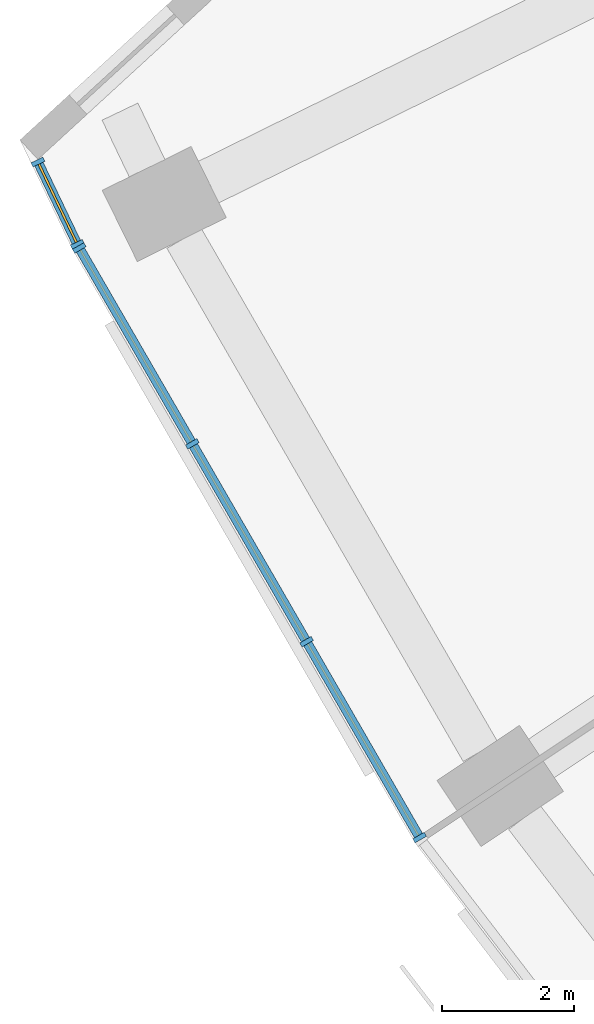
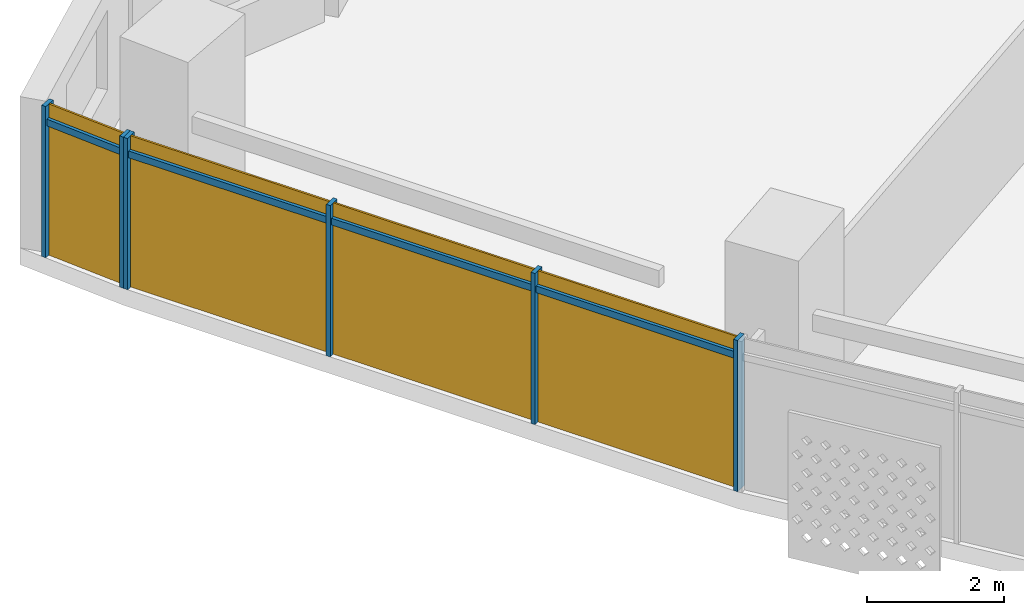
# One storey, part 20 of 30: 10 members, 2 curtain walls.
"""IFC4 building model written with IfcOpenShell, lengths in metres."""

from ifc_helpers import new_model, si_unit, direction, frame, origin, origin_2d, place, context, subcontext, project, spatial, rectangle, extrude, material, material_profile, profile_set, type_object, element, aggregate, save


model = new_model("IFC4")

# Units and contexts
model_context = context("Model", 3, precision=1e-05, world=origin(), true_north=direction((0.0, 1.0)))
body_context = subcontext(model_context, "Body", "Model", "MODEL_VIEW")
ifc_project = project(units=[si_unit("LENGTHUNIT", "METRE"), si_unit("AREAUNIT", "SQUARE_METRE"), si_unit("VOLUMEUNIT", "CUBIC_METRE"), si_unit("PLANEANGLEUNIT", "RADIAN"), si_unit("MASSUNIT", "GRAM", prefix="KILO")], contexts=[model_context])

# Member
ifc_material = material(Name="Aluminium 6063-T6 anodised", Category="aluminium")
ifc_material_profile_1 = material_profile(ifc_material, rectangle(XDim=0.199951171875, YDim=0.070068359375, at=origin_2d()))
ifc_profile_set_1 = profile_set([ifc_material_profile_1], Name="Aluminium 6063-T6 anodised")
member_type_1 = type_object("IfcMemberType", Name="Mullion 70 x 200 aluminium", PredefinedType="MULLION", material=ifc_profile_set_1)
site_placement = place(None, origin())
building_placement = place(site_placement, origin())
storey_placement = place(building_placement, frame((0.0, 0.0, 98.699951171875)))
member_1_placement = place(storey_placement, frame((-71.643310546875, -33.75341796875, 0.0), z_axis=(0.0, 0.0, 1.0), x_axis=(0.901932001706, 0.431878066472, 0.0)))
member_1 = element("IfcMember", 1, at=member_1_placement, type_object=member_type_1, Name="e-cw1-L21-out00/M00", PredefinedType="MULLION", context=body_context, shape_type="SweptSolid", body=[
    extrude(rectangle(XDim=0.199951171875, YDim=0.070068359375, at=origin_2d()), origin(), (0.0, 0.0, 1.0), 2.699951171875),
])

member_2_placement = place(storey_placement, frame((-71.046875, -34.998779296875, 0.0), z_axis=(0.0, 0.0, 1.0), x_axis=(0.901932001706, 0.431878066472, 0.0)))
member_2 = element("IfcMember", 2, at=member_2_placement, type_object=member_type_1, Name="e-cw1-L21-out00/M01", PredefinedType="MULLION", context=body_context, shape_type="SweptSolid", body=[
    extrude(rectangle(XDim=0.199951171875, YDim=0.070068359375, at=origin_2d()), origin(), (0.0, 0.0, 1.0), 2.699951171875),
])

member_3_placement = place(storey_placement, frame((-71.017822265625, -35.0537109375, 0.0), z_axis=(0.0, 0.0, 1.0), x_axis=(0.866025403784, 0.5, 0.0)))
member_3 = element("IfcMember", 3, at=member_3_placement, type_object=member_type_1, Name="e-cw1-L21-out01/M00", PredefinedType="MULLION", context=body_context, shape_type="SweptSolid", body=[
    extrude(rectangle(XDim=0.199951171875, YDim=0.070068359375, at=origin_2d()), origin(), (0.0, 0.0, 1.0), 2.699951171875),
])

member_4_placement = place(storey_placement, frame((-69.306640625, -38.017822265625, 0.0), z_axis=(0.0, 0.0, 1.0), x_axis=(0.866025403784, 0.5, 0.0)))
member_4 = element("IfcMember", 4, at=member_4_placement, type_object=member_type_1, Name="e-cw1-L21-out01/M01", PredefinedType="MULLION", context=body_context, shape_type="SweptSolid", body=[
    extrude(rectangle(XDim=0.199951171875, YDim=0.070068359375, at=origin_2d()), origin(), (0.0, 0.0, 1.0), 2.699951171875),
])

member_5_placement = place(storey_placement, frame((-67.577880859375, -41.01220703125, 0.0), z_axis=(0.0, 0.0, 1.0), x_axis=(0.866025403784, 0.5, 0.0)))
member_5 = element("IfcMember", 5, at=member_5_placement, type_object=member_type_1, Name="e-cw1-L21-out01/M02", PredefinedType="MULLION", context=body_context, shape_type="SweptSolid", body=[
    extrude(rectangle(XDim=0.199951171875, YDim=0.070068359375, at=origin_2d()), origin(), (0.0, 0.0, 1.0), 2.699951171875),
])

member_6_placement = place(storey_placement, frame((-65.866455078125, -43.976318359375, 0.0), z_axis=(0.0, 0.0, 1.0), x_axis=(0.866025403784, 0.5, 0.0)))
member_6 = element("IfcMember", 6, at=member_6_placement, type_object=member_type_1, Name="e-cw1-L21-out01/M03", PredefinedType="MULLION", context=body_context, shape_type="SweptSolid", body=[
    extrude(rectangle(XDim=0.199951171875, YDim=0.070068359375, at=origin_2d()), origin(), (0.0, 0.0, 1.0), 2.699951171875),
])

ifc_material_profile_2 = material_profile(ifc_material, rectangle(XDim=0.139892578125, YDim=0.1201171875, at=origin_2d()))
ifc_profile_set_2 = profile_set([ifc_material_profile_2], Name="Aluminium 6063-T6 anodised")
member_type_2 = type_object("IfcMemberType", Name="Transom 120 x 140 aluminium", PredefinedType="USERDEFINED", material=ifc_profile_set_2)
member_7_placement = place(storey_placement, frame((-71.628173828125, -33.784912109375, 2.400146484375), z_axis=(0.431877199077, -0.901932417046, 0.0), x_axis=(0.901932417046, 0.431877199077, 0.0)))
member_7 = element("IfcMember", 7, at=member_7_placement, type_object=member_type_2, Name="e-cw1-L21-out00/T00", ObjectType="TRANSOM", PredefinedType="USERDEFINED", context=body_context, shape_type="SweptSolid", body=[
    extrude(rectangle(XDim=0.139892578125, YDim=0.1201171875, at=origin_2d()), origin(), (0.0, 0.0, 1.0), 1.31103515625),
])

member_8_placement = place(storey_placement, frame((-71.00048828125, -35.084228515625, 2.400146484375), z_axis=(0.50006283963, -0.865989120267, 0.0), x_axis=(0.865989120267, 0.50006283963, 0.0)))
member_8 = element("IfcMember", 8, at=member_8_placement, type_object=member_type_2, Name="e-cw1-L21-out01/T00", ObjectType="TRANSOM", PredefinedType="USERDEFINED", context=body_context, shape_type="SweptSolid", body=[
    extrude(rectangle(XDim=0.139892578125, YDim=0.1201171875, at=origin_2d()), origin(), (0.0, 0.0, 1.0), 3.3525390625),
])

member_9_placement = place(storey_placement, frame((-69.2890625, -38.048095703125, 2.400146484375), z_axis=(0.499999017107, -0.866025971257, 0.0), x_axis=(0.866025971257, 0.499999017107, 0.0)))
member_9 = element("IfcMember", 9, at=member_9_placement, type_object=member_type_2, Name="e-cw1-L21-out01/T01", ObjectType="TRANSOM", PredefinedType="USERDEFINED", context=body_context, shape_type="SweptSolid", body=[
    extrude(rectangle(XDim=0.139892578125, YDim=0.1201171875, at=origin_2d()), origin(), (0.0, 0.0, 1.0), 3.3876953125),
])

member_10_placement = place(storey_placement, frame((-67.560302734375, -41.042724609375, 2.400146484375), z_axis=(0.50000822536, -0.866020654818, 0.0), x_axis=(0.866020654818, 0.50000822536, 0.0)))
member_10 = element("IfcMember", 10, at=member_10_placement, type_object=member_type_2, Name="e-cw1-L21-out01/T02", ObjectType="TRANSOM", PredefinedType="USERDEFINED", context=body_context, shape_type="SweptSolid", body=[
    extrude(rectangle(XDim=0.139892578125, YDim=0.1201171875, at=origin_2d()), origin(), (0.0, 0.0, 1.0), 3.3525390625),
])

# Site, building, storey
site = spatial("IfcSite", under=ifc_project, at=site_placement, CompositionType="ELEMENT")
building = spatial("IfcBuilding", under=site, at=building_placement, Name="Qamariyya Broadcast Tower", CompositionType="ELEMENT")
storey = spatial("IfcBuildingStorey", under=building, at=storey_placement, Name="L21", CompositionType="ELEMENT", Elevation=98.699951171875)

# Curtain wall
curtain_wall_type = type_object("IfcCurtainWallType", Name="Unitised curtain wall, anodised aluminium", PredefinedType="NOTDEFINED", material=ifc_material)
curtain_wall_1_placement = place(storey_placement, origin())
curtain_wall_1 = element("IfcCurtainWall", 11, at=curtain_wall_1_placement, inside=storey, type_object=curtain_wall_type, Name="e-cw1-L21-out00", PredefinedType="NOTDEFINED", context=body_context, shape_type="SweptSolid", body=[
    extrude(rectangle(XDim=1.310791015625, YDim=0.031982421875, at=origin_2d()), frame((-71.34521484375, -34.3759765625, 0.0), x_axis=(0.432003270023, -0.901872038977, 0.0)), (0.0, 0.0, 1.0), 2.340087890625),
    extrude(rectangle(XDim=1.310791015625, YDim=0.031982421875, at=origin_2d()), frame((-71.34521484375, -34.3759765625, 2.4599609375), x_axis=(0.432003270023, -0.901872038977, 0.0)), (0.0, 0.0, 1.0), 0.239990234375),
])

aggregate(curtain_wall_1, [member_1, member_2, member_7])

curtain_wall_2_placement = place(storey_placement, origin())
curtain_wall_2 = element("IfcCurtainWall", 12, at=curtain_wall_2_placement, inside=storey, type_object=curtain_wall_type, Name="e-cw1-L21-out01", PredefinedType="NOTDEFINED", context=body_context, shape_type="SweptSolid", body=[
    extrude(rectangle(XDim=3.352783203125, YDim=0.031982421875, at=origin_2d()), frame((-70.162109375, -36.535888671875, 0.0), x_axis=(0.499996813733, -0.866027243369, 0.0)), (0.0, 0.0, 1.0), 2.340087890625),
    extrude(rectangle(XDim=3.352783203125, YDim=0.031982421875, at=origin_2d()), frame((-70.162109375, -36.535888671875, 2.4599609375), x_axis=(0.499996813733, -0.866027243369, 0.0)), (0.0, 0.0, 1.0), 0.239990234375),
    extrude(rectangle(XDim=3.3876953125, YDim=0.031982421875, at=origin_2d()), frame((-68.442138671875, -39.51513671875, 0.0), x_axis=(0.499996813733, -0.866027243369, 0.0)), (0.0, 0.0, 1.0), 2.340087890625),
    extrude(rectangle(XDim=3.3876953125, YDim=0.031982421875, at=origin_2d()), frame((-68.442138671875, -39.51513671875, 2.4599609375), x_axis=(0.499996813733, -0.866027243369, 0.0)), (0.0, 0.0, 1.0), 0.239990234375),
    extrude(rectangle(XDim=3.352783203125, YDim=0.031982421875, at=origin_2d()), frame((-66.72216796875, -42.494384765625, 0.0), x_axis=(0.499996813733, -0.866027243369, 0.0)), (0.0, 0.0, 1.0), 2.340087890625),
    extrude(rectangle(XDim=3.352783203125, YDim=0.031982421875, at=origin_2d()), frame((-66.72216796875, -42.494384765625, 2.4599609375), x_axis=(0.499996813733, -0.866027243369, 0.0)), (0.0, 0.0, 1.0), 0.239990234375),
])

aggregate(curtain_wall_2, [member_3, member_4, member_5, member_6, member_8, member_9, member_10])

save(model, "model.ifc")
